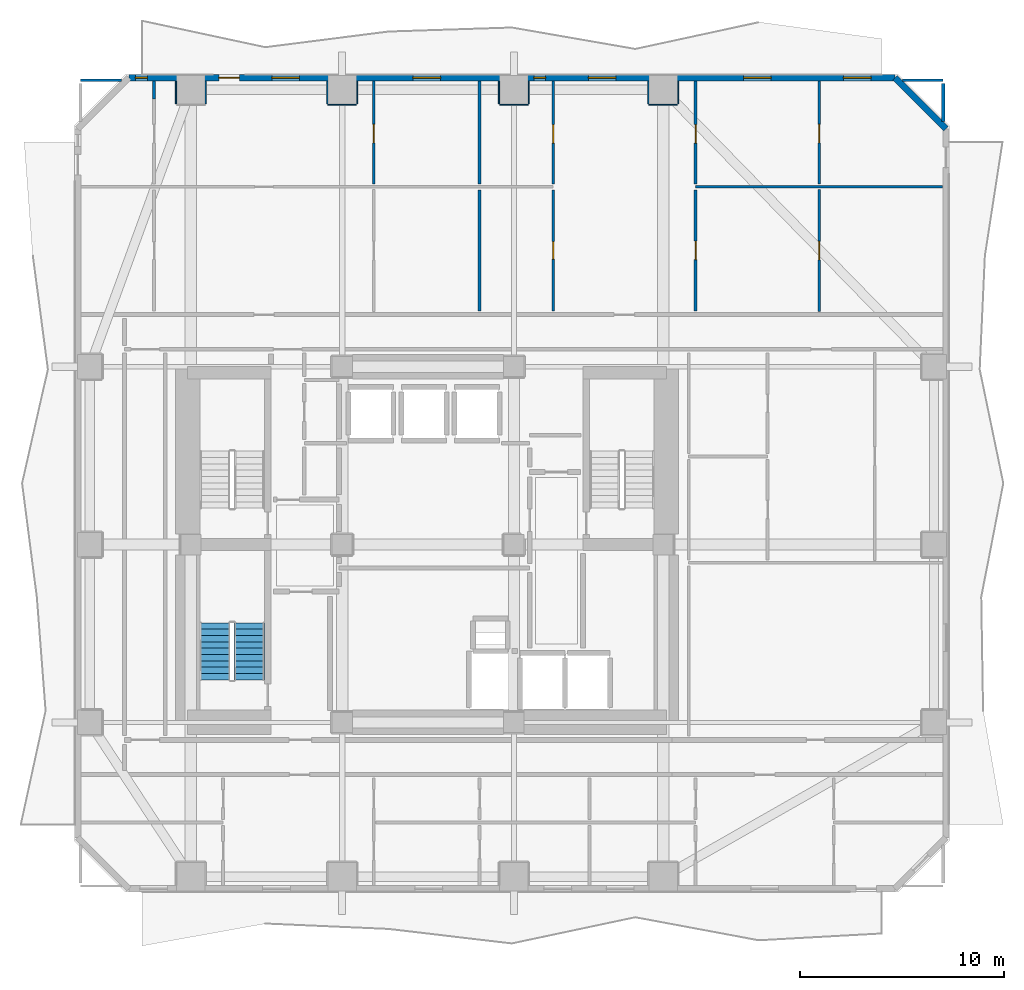
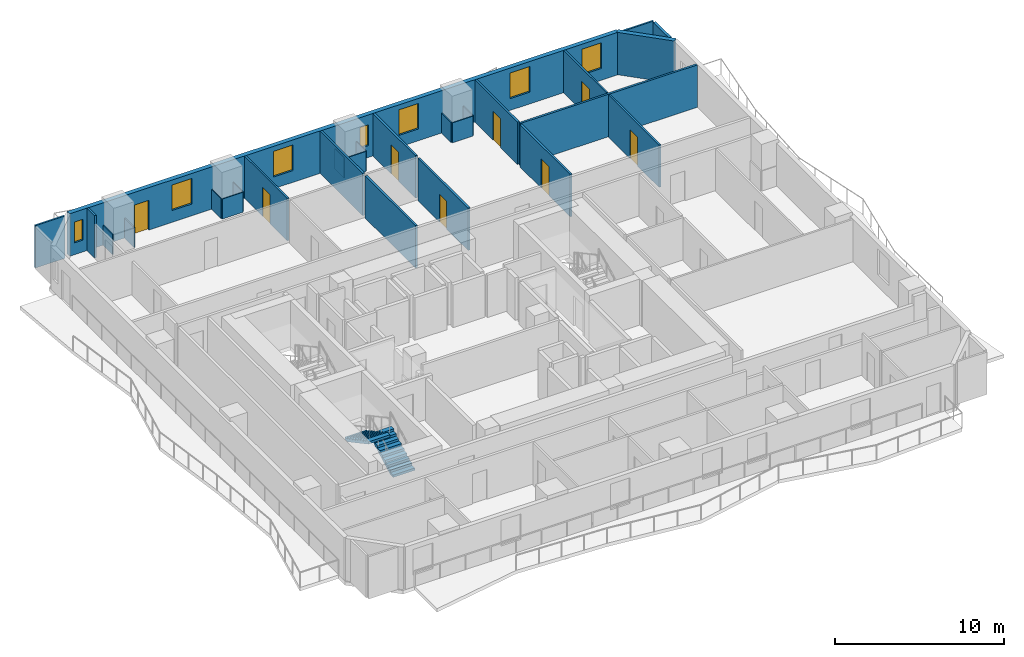
# One storey, part 6 of 11: 27 walls, 8 doors, 7 windows, 2 stair flights, 15 openings, 1 element without a shape of its own.
"""IFC4 building model written with IfcOpenShell, lengths in metres."""

from ifc_helpers import new_model, si_unit, direction, frame, frame_2d, origin, place, context, subcontext, project, spatial, polyline, rectangle, outline, extrude, material, layer, layer_set, type_object, element, fill, aggregate, save


model = new_model("IFC4")

# Units and contexts
model_context = context("Model", 3, precision=1e-05, world=origin(), true_north=direction((0.0, 1.0)))
body_context = subcontext(model_context, "Body", "Model", "MODEL_VIEW")
ifc_project = project(units=[si_unit("LENGTHUNIT", "METRE"), si_unit("AREAUNIT", "SQUARE_METRE"), si_unit("VOLUMEUNIT", "CUBIC_METRE"), si_unit("PLANEANGLEUNIT", "RADIAN"), si_unit("MASSUNIT", "GRAM", prefix="KILO")], contexts=[model_context])

# Site, building, storey
site_placement = place(None, origin())
site = spatial("IfcSite", under=ifc_project, at=site_placement, CompositionType="ELEMENT")
building_placement = place(site_placement, origin())
building = spatial("IfcBuilding", under=site, at=building_placement, Name="Solanera Arch Residences", CompositionType="ELEMENT")
storey_placement = place(building_placement, frame((0.0, 0.0, 71.800048828125)))
storey = spatial("IfcBuildingStorey", under=building, at=storey_placement, Name="L20", CompositionType="ELEMENT", Elevation=71.800048828125)

# Walls
ifc_material_1 = material(Name="Fire-Rated Gypsum Stud Partition", Category="gypsum")
ifc_layer_1 = layer(ifc_material_1, 0.06005859375)
ifc_layer_set_1 = layer_set([ifc_layer_1], Name="Fire-Rated Gypsum Stud Partition")
wall_type_1 = type_object("IfcWallType", Name="Column Acoustic Furring Wall 60", PredefinedType="PARTITIONING", material=ifc_layer_set_1)
for number, where, z_axis, x_axis, name in (
    (1, (12.66796875, 52.25, 0.0), (0.0, 0.0, 1.0), (0.0, 1.0, 0.0), "L20 Column Furring 10W"),
    (2, (14.132080078125, 52.25, 0.0), (0.0, 0.0, 1.0), (0.0, 1.0, 0.0), "L20 Column Furring 10E"),
):
    element("IfcWall", number, at=place(storey_placement, frame(where, z_axis=z_axis, x_axis=x_axis)), inside=storey, type_object=wall_type_1, Name=name, PredefinedType="PARTITIONING", context=body_context, shape_type="SweptSolid", body=[
        extrude(rectangle(XDim=1.1201171875, YDim=0.06005859375, at=frame_2d((0.56005859375, 0.0))), origin(), (0.0, 0.0, 1.0), 1.449951171875),
    ])
wall_1_placement = place(storey_placement, frame((20.10009765625, 52.218017578125, 0.0), z_axis=(0.0, 0.0, 1.0), x_axis=(1.0, 0.0, 0.0)))
element("IfcWall", 3, at=wall_1_placement, inside=storey, type_object=wall_type_1, Name="L20 Column Furring 12S", PredefinedType="PARTITIONING", context=body_context, shape_type="SweptSolid", body=[
    extrude(rectangle(XDim=1.39990234375, YDim=0.06005859375, at=frame_2d((0.699951171875, 0.0))), origin(), (0.0, 0.0, 1.0), 1.449951171875),
])
for number, where, z_axis, x_axis, name in (
    (4, (20.068115234375, 52.25, 0.0), (0.0, 0.0, 1.0), (0.0, 1.0, 0.0), "L20 Column Furring 12W"),
    (5, (21.531982421875, 52.25, 0.0), (0.0, 0.0, 1.0), (0.0, 1.0, 0.0), "L20 Column Furring 12E"),
):
    element("IfcWall", number, at=place(storey_placement, frame(where, z_axis=z_axis, x_axis=x_axis)), inside=storey, type_object=wall_type_1, Name=name, PredefinedType="PARTITIONING", context=body_context, shape_type="SweptSolid", body=[
        extrude(rectangle(XDim=1.1201171875, YDim=0.06005859375, at=frame_2d((0.56005859375, 0.0))), origin(), (0.0, 0.0, 1.0), 1.449951171875),
    ])
wall_2_placement = place(storey_placement, frame((28.5, 52.218017578125, 0.0), z_axis=(0.0, 0.0, 1.0), x_axis=(1.0, 0.0, 0.0)))
element("IfcWall", 6, at=wall_2_placement, inside=storey, type_object=wall_type_1, Name="L20 Column Furring 14S", PredefinedType="PARTITIONING", context=body_context, shape_type="SweptSolid", body=[
    extrude(rectangle(XDim=1.39990234375, YDim=0.06005859375, at=frame_2d((0.699951171875, 0.0))), origin(), (0.0, 0.0, 1.0), 1.449951171875),
])
for number, where, z_axis, x_axis, name in (
    (7, (28.468017578125, 52.25, 0.0), (0.0, 0.0, 1.0), (0.0, 1.0, 0.0), "L20 Column Furring 14W"),
    (8, (29.931884765625, 52.25, 0.0), (0.0, 0.0, 1.0), (0.0, 1.0, 0.0), "L20 Column Furring 14E"),
):
    element("IfcWall", number, at=place(storey_placement, frame(where, z_axis=z_axis, x_axis=x_axis)), inside=storey, type_object=wall_type_1, Name=name, PredefinedType="PARTITIONING", context=body_context, shape_type="SweptSolid", body=[
        extrude(rectangle(XDim=1.1201171875, YDim=0.06005859375, at=frame_2d((0.56005859375, 0.0))), origin(), (0.0, 0.0, 1.0), 1.449951171875),
    ])
wall_3_placement = place(storey_placement, frame((35.800048828125, 52.218017578125, 0.0), z_axis=(0.0, 0.0, 1.0), x_axis=(1.0, 0.0, 0.0)))
element("IfcWall", 9, at=wall_3_placement, inside=storey, type_object=wall_type_1, Name="L20 Column Furring 16S", PredefinedType="PARTITIONING", context=body_context, shape_type="SweptSolid", body=[
    extrude(rectangle(XDim=1.39990234375, YDim=0.06005859375, at=frame_2d((0.699951171875, 0.0))), origin(), (0.0, 0.0, 1.0), 1.449951171875),
])
for number, where, z_axis, x_axis, name in (
    (10, (35.76806640625, 52.25, 0.0), (0.0, 0.0, 1.0), (0.0, 1.0, 0.0), "L20 Column Furring 16W"),
    (11, (37.23193359375, 52.25, 0.0), (0.0, 0.0, 1.0), (0.0, 1.0, 0.0), "L20 Column Furring 16E"),
):
    element("IfcWall", number, at=place(storey_placement, frame(where, z_axis=z_axis, x_axis=x_axis)), inside=storey, type_object=wall_type_1, Name=name, PredefinedType="PARTITIONING", context=body_context, shape_type="SweptSolid", body=[
        extrude(rectangle(XDim=1.1201171875, YDim=0.06005859375, at=frame_2d((0.56005859375, 0.0))), origin(), (0.0, 0.0, 1.0), 1.449951171875),
    ])
ifc_material_2 = material(Name="Autoclaved Aerated Concrete Blockwork", Category="masonry")
ifc_layer_2 = layer(ifc_material_2, 0.179931640625)
ifc_layer_set_2 = layer_set([ifc_layer_2], Name="Autoclaved Aerated Concrete Blockwork")
wall_type_2 = type_object("IfcWallType", Name="Corridor Fire Partition 180", PredefinedType="PARTITIONING", material=ifc_layer_set_2)
wall_4_placement = place(storey_placement, frame((50.199951171875, 51.39892578125, 0.0), z_axis=(0.0, 0.0, 1.0), x_axis=(0.0, 1.0, 0.0)))
element("IfcWall", 12, at=wall_4_placement, inside=storey, type_object=wall_type_2, Name="L20 Interior Partition V9 2", PredefinedType="PARTITIONING", context=body_context, shape_type="SweptSolid", body=[
    extrude(rectangle(XDim=1.843017578125, YDim=0.179931640625, at=frame_2d((0.92138671875, 0.0))), origin(), (0.0, 0.0, 1.0), 3.06005859375),
])

# Wall, openings, door, windows
ifc_material_3 = material(Name="Precast Concrete C35/45", Category="concrete")
ifc_layer_3 = layer(ifc_material_3, 0.300048828125)
ifc_layer_set_3 = layer_set([ifc_layer_3], Name="Precast Concrete C35/45")
wall_type_3 = type_object("IfcWallType", Name="Exterior Wall Precast Masonry-Frame 300", PredefinedType="STANDARD", material=ifc_layer_set_3)
wall_5_placement = place(storey_placement, frame((10.364990234375, 53.534912109375, 0.0), z_axis=(0.0, 0.0, 1.0), x_axis=(1.0, 0.0, 0.0)))
wall_5 = element("IfcWall", 13, at=wall_5_placement, inside=storey, type_object=wall_type_3, Name="L20 Tower Exterior Precast Masonry-Frame Wall N", PredefinedType="STANDARD", context=body_context, shape_type="SweptSolid", body=[
    extrude(rectangle(XDim=37.469970703125, YDim=0.300048828125, at=frame_2d((18.73486328125, 0.0))), origin(), (0.0, 0.0, 1.0), 3.06005859375),
])
opening_1_placement = place(wall_5_placement, frame((4.403076171875, 0.0, 0.0)))
opening_1 = element("IfcOpeningElement", 14, at=opening_1_placement, cuts=wall_5, Name="Opening DB-01", PredefinedType="OPENING", context=body_context, shape_type="SweptSolid", body=[
    extrude(rectangle(XDim=1.0, YDim=2.14990234375, at=frame_2d((0.5, 1.074951171875))), frame((0.0, 0.159912109375, 0.0), z_axis=(0.0, -1.0, 0.0), x_axis=(1.0, 0.0, 0.0)), (0.0, 0.0, 1.0), 0.32),
])
opening_2_placement = place(wall_5_placement, frame((6.993896484375, 0.0, 0.85009765625)))
opening_2 = element("IfcOpeningElement", 15, at=opening_2_placement, cuts=wall_5, Name="Opening W-10", PredefinedType="OPENING", context=body_context, shape_type="SweptSolid", body=[
    extrude(rectangle(XDim=1.35009765625, YDim=1.85009765625, at=frame_2d((0.675048828125, 0.925048828125))), frame((0.0, 0.159912109375, 0.0), z_axis=(0.0, -1.0, 0.0), x_axis=(1.0, 0.0, 0.0)), (0.0, 0.0, 1.0), 0.32),
])
opening_3_placement = place(wall_5_placement, frame((0.323974609375, 0.0, 0.85009765625)))
opening_3 = element("IfcOpeningElement", 16, at=opening_3_placement, cuts=wall_5, Name="Opening W-14", PredefinedType="OPENING", context=body_context, shape_type="SweptSolid", body=[
    extrude(rectangle(XDim=0.580078125, YDim=1.5, at=frame_2d((0.2900390625, 0.75))), frame((0.0, 0.159912109375, 0.0), z_axis=(0.0, -1.0, 0.0), x_axis=(1.0, 0.0, 0.0)), (0.0, 0.0, 1.0), 0.32),
])
opening_4_placement = place(wall_5_placement, frame((13.89599609375, 0.0, 0.85009765625)))
opening_4 = element("IfcOpeningElement", 17, at=opening_4_placement, cuts=wall_5, Name="Opening W-10", PredefinedType="OPENING", context=body_context, shape_type="SweptSolid", body=[
    extrude(rectangle(XDim=1.35009765625, YDim=1.85009765625, at=frame_2d((0.675048828125, 0.925048828125))), frame((0.0, 0.159912109375, 0.0), z_axis=(0.0, -1.0, 0.0), x_axis=(1.0, 0.0, 0.0)), (0.0, 0.0, 1.0), 0.32),
])
opening_5_placement = place(wall_5_placement, frame((22.471923828125, 0.0, 0.85009765625)))
opening_5 = element("IfcOpeningElement", 18, at=opening_5_placement, cuts=wall_5, Name="Opening W-10", PredefinedType="OPENING", context=body_context, shape_type="SweptSolid", body=[
    extrude(rectangle(XDim=1.35009765625, YDim=1.85009765625, at=frame_2d((0.675048828125, 0.925048828125))), frame((0.0, 0.159912109375, 0.0), z_axis=(0.0, -1.0, 0.0), x_axis=(1.0, 0.0, 0.0)), (0.0, 0.0, 1.0), 0.32),
])
opening_6_placement = place(wall_5_placement, frame((19.806884765625, 0.0, 0.85009765625)))
opening_6 = element("IfcOpeningElement", 19, at=opening_6_placement, cuts=wall_5, Name="Opening W-14", PredefinedType="OPENING", context=body_context, shape_type="SweptSolid", body=[
    extrude(rectangle(XDim=0.580078125, YDim=1.5, at=frame_2d((0.2900390625, 0.75))), frame((0.0, 0.159912109375, 0.0), z_axis=(0.0, -1.0, 0.0), x_axis=(1.0, 0.0, 0.0)), (0.0, 0.0, 1.0), 0.32),
])
opening_7_placement = place(wall_5_placement, frame((30.070068359375, 0.0, 0.85009765625)))
opening_7 = element("IfcOpeningElement", 20, at=opening_7_placement, cuts=wall_5, Name="Opening W-10", PredefinedType="OPENING", context=body_context, shape_type="SweptSolid", body=[
    extrude(rectangle(XDim=1.35009765625, YDim=1.85009765625, at=frame_2d((0.675048828125, 0.925048828125))), frame((0.0, 0.159912109375, 0.0), z_axis=(0.0, -1.0, 0.0), x_axis=(1.0, 0.0, 0.0)), (0.0, 0.0, 1.0), 0.32),
])
opening_8_placement = place(wall_5_placement, frame((34.952880859375, 0.0, 0.85009765625)))
opening_8 = element("IfcOpeningElement", 21, at=opening_8_placement, cuts=wall_5, Name="Opening W-10", PredefinedType="OPENING", context=body_context, shape_type="SweptSolid", body=[
    extrude(rectangle(XDim=1.35009765625, YDim=1.85009765625, at=frame_2d((0.675048828125, 0.925048828125))), frame((0.0, 0.159912109375, 0.0), z_axis=(0.0, -1.0, 0.0), x_axis=(1.0, 0.0, 0.0)), (0.0, 0.0, 1.0), 0.32),
])
ifc_material_4 = material(Name="Anodised Aluminium Alloy 6063-T6", Category="aluminium")
door_type_1 = type_object("IfcDoorType", Name="Glazed Balcony Swing Door DB-01", OperationType="NOTDEFINED", PredefinedType="DOOR", material=ifc_material_4)
door_1_placement = place(opening_1_placement, origin())
door_1 = element("IfcDoor", 22, at=door_1_placement, inside=storey, type_object=door_type_1, Name="DR-L20-OUT-02", OperationType="SINGLE_SWING_LEFT", OverallHeight=2.14990234375, OverallWidth=1.0, PredefinedType="DOOR", context=body_context, shape_type="SweptSolid", body=[
    extrude(rectangle(XDim=1.0, YDim=2.14990234375, at=frame_2d((0.5, 1.074951171875))), frame((0.0, 0.02490234375, 0.0), z_axis=(0.0, -1.0, 0.0), x_axis=(1.0, 0.0, 0.0)), (0.0, 0.0, 1.0), 0.050048828125),
])
fill(opening_1, door_1)
ifc_material_5 = material(Name="Double Glazed Low-E Laminated Glass", Category="glass")
window_type_1 = type_object("IfcWindowType", Name="Punched Window W-10", PartitioningType="DOUBLE_PANEL_VERTICAL", PredefinedType="WINDOW", material=ifc_material_5)
window_1_placement = place(opening_2_placement, origin())
window_1 = element("IfcWindow", 23, at=window_1_placement, inside=storey, type_object=window_type_1, Name="L20 2003-LIV Punched Window", OverallHeight=1.85009765625, OverallWidth=1.35009765625, PartitioningType="SINGLE_PANEL", PredefinedType="WINDOW", context=body_context, shape_type="SweptSolid", body=[
    extrude(rectangle(XDim=1.35009765625, YDim=1.85009765625, at=frame_2d((0.675048828125, 0.925048828125))), frame((0.0, 0.030029296875, 0.0), z_axis=(0.0, -1.0, 0.0), x_axis=(1.0, 0.0, 0.0)), (0.0, 0.0, 1.0), 0.06005859375),
])
fill(opening_2, window_1)
window_2_placement = place(opening_4_placement, origin())
window_2 = element("IfcWindow", 24, at=window_2_placement, inside=storey, type_object=window_type_1, Name="L20 2003-BR2 Punched Window", OverallHeight=1.85009765625, OverallWidth=1.35009765625, PartitioningType="SINGLE_PANEL", PredefinedType="WINDOW", context=body_context, shape_type="SweptSolid", body=[
    extrude(rectangle(XDim=1.35009765625, YDim=1.85009765625, at=frame_2d((0.675048828125, 0.925048828125))), frame((0.0, 0.030029296875, 0.0), z_axis=(0.0, -1.0, 0.0), x_axis=(1.0, 0.0, 0.0)), (0.0, 0.0, 1.0), 0.06005859375),
])
fill(opening_4, window_2)
window_3_placement = place(opening_5_placement, origin())
window_3 = element("IfcWindow", 25, at=window_3_placement, inside=storey, type_object=window_type_1, Name="L20 2004-LIV Punched Window", OverallHeight=1.85009765625, OverallWidth=1.35009765625, PartitioningType="SINGLE_PANEL", PredefinedType="WINDOW", context=body_context, shape_type="SweptSolid", body=[
    extrude(rectangle(XDim=1.35009765625, YDim=1.85009765625, at=frame_2d((0.675048828125, 0.925048828125))), frame((0.0, 0.030029296875, 0.0), z_axis=(0.0, -1.0, 0.0), x_axis=(1.0, 0.0, 0.0)), (0.0, 0.0, 1.0), 0.06005859375),
])
fill(opening_5, window_3)
window_4_placement = place(opening_7_placement, origin())
window_4 = element("IfcWindow", 26, at=window_4_placement, inside=storey, type_object=window_type_1, Name="L20 2004-BR2 Punched Window", OverallHeight=1.85009765625, OverallWidth=1.35009765625, PartitioningType="SINGLE_PANEL", PredefinedType="WINDOW", context=body_context, shape_type="SweptSolid", body=[
    extrude(rectangle(XDim=1.35009765625, YDim=1.85009765625, at=frame_2d((0.675048828125, 0.925048828125))), frame((0.0, 0.030029296875, 0.0), z_axis=(0.0, -1.0, 0.0), x_axis=(1.0, 0.0, 0.0)), (0.0, 0.0, 1.0), 0.06005859375),
])
fill(opening_7, window_4)
window_5_placement = place(opening_8_placement, origin())
window_5 = element("IfcWindow", 27, at=window_5_placement, inside=storey, type_object=window_type_1, Name="L20 2004-BR3 Punched Window", OverallHeight=1.85009765625, OverallWidth=1.35009765625, PartitioningType="SINGLE_PANEL", PredefinedType="WINDOW", context=body_context, shape_type="SweptSolid", body=[
    extrude(rectangle(XDim=1.35009765625, YDim=1.85009765625, at=frame_2d((0.675048828125, 0.925048828125))), frame((0.0, 0.030029296875, 0.0), z_axis=(0.0, -1.0, 0.0), x_axis=(1.0, 0.0, 0.0)), (0.0, 0.0, 1.0), 0.06005859375),
])
fill(opening_8, window_5)
ifc_material_6 = material(Name="Double Glazed Low-E Laminated Glass", Category="glass")
window_type_2 = type_object("IfcWindowType", Name="Punched Window W-14", PartitioningType="SINGLE_PANEL", PredefinedType="WINDOW", material=ifc_material_6)
window_6_placement = place(opening_3_placement, origin())
window_6 = element("IfcWindow", 28, at=window_6_placement, inside=storey, type_object=window_type_2, Name="L20 2003-BR1 Punched Window", OverallHeight=1.5, OverallWidth=0.580078125, PartitioningType="SINGLE_PANEL", PredefinedType="WINDOW", context=body_context, shape_type="SweptSolid", body=[
    extrude(rectangle(XDim=0.580078125, YDim=1.5, at=frame_2d((0.2900390625, 0.75))), frame((0.0, 0.030029296875, 0.0), z_axis=(0.0, -1.0, 0.0), x_axis=(1.0, 0.0, 0.0)), (0.0, 0.0, 1.0), 0.06005859375),
])
fill(opening_3, window_6)
window_7_placement = place(opening_6_placement, origin())
window_7 = element("IfcWindow", 29, at=window_7_placement, inside=storey, type_object=window_type_2, Name="L20 2004-BR1 Punched Window", OverallHeight=1.5, OverallWidth=0.580078125, PartitioningType="SINGLE_PANEL", PredefinedType="WINDOW", context=body_context, shape_type="SweptSolid", body=[
    extrude(rectangle(XDim=0.580078125, YDim=1.5, at=frame_2d((0.2900390625, 0.75))), frame((0.0, 0.030029296875, 0.0), z_axis=(0.0, -1.0, 0.0), x_axis=(1.0, 0.0, 0.0)), (0.0, 0.0, 1.0), 0.06005859375),
])
fill(opening_6, window_7)

# Walls
wall_6_placement = place(storey_placement, frame((47.8349609375, 53.534912109375, 0.0), z_axis=(0.0, 0.0, 1.0), x_axis=(0.707106781187, -0.707106781187, 0.0)))
element("IfcWall", 30, at=wall_6_placement, inside=storey, type_object=wall_type_3, Name="L20 Tower Exterior Precast Masonry-Frame Wall CH3", PredefinedType="STANDARD", context=body_context, shape_type="SweptSolid", body=[
    extrude(rectangle(XDim=3.53564453125, YDim=0.300048828125, at=frame_2d((1.767822265625, 0.0))), origin(), (0.0, 0.0, 1.0), 3.06005859375),
])
ifc_material_7 = material(Name="Fire-Rated Gypsum Stud Partition", Category="gypsum")
ifc_layer_4 = layer(ifc_material_7, 0.1201171875)
ifc_layer_set_4 = layer_set([ifc_layer_4], Name="Fire-Rated Gypsum Stud Partition")
wall_type_4 = type_object("IfcWallType", Name="Unit Drywall Partition 120", PredefinedType="PARTITIONING", material=ifc_layer_set_4)
for number, where, z_axis, x_axis, name in (
    (31, (8.0, 53.39990234375, 0.0), (0.0, 0.0, 1.0), (1.0, 0.0, 0.0), "L20 Interior Partition H21 1"),
    (32, (48.198974609375, 53.39990234375, 0.0), (0.0, 0.0, 1.0), (1.0, 0.0, 0.0), "L20 Interior Partition H21 2"),
):
    element("IfcWall", number, at=place(storey_placement, frame(where, z_axis=z_axis, x_axis=x_axis)), inside=storey, type_object=wall_type_4, Name=name, PredefinedType="PARTITIONING", context=body_context, shape_type="SweptSolid", body=[
        extrude(rectangle(XDim=2.0009765625, YDim=0.1201171875, at=frame_2d((1.00048828125, 0.0))), origin(), (0.0, 0.0, 1.0), 3.06005859375),
    ])

# Wall, opening, door
wall_7_placement = place(storey_placement, frame((22.35205078125, 48.337890625, 0.0), z_axis=(0.0, 0.0, 1.0), x_axis=(0.0, 1.0, 0.0)))
wall_7 = element("IfcWall", 33, at=wall_7_placement, inside=storey, type_object=wall_type_4, Name="L20 Interior Partition V23 2", PredefinedType="PARTITIONING", context=body_context, shape_type="SweptSolid", body=[
    extrude(rectangle(XDim=5.03515625, YDim=0.1201171875, at=frame_2d((2.517578125, 0.0))), origin(), (0.0, 0.0, 1.0), 3.06005859375),
])
opening_9_placement = place(wall_7_placement, frame((2.011962890625, 0.0, 0.0)))
opening_9 = element("IfcOpeningElement", 34, at=opening_9_placement, cuts=wall_7, Name="Opening DI-03", PredefinedType="OPENING", context=body_context, shape_type="SweptSolid", body=[
    extrude(rectangle(XDim=0.89990234375, YDim=2.10009765625, at=frame_2d((0.449951171875, 1.050048828125))), frame((0.0, 0.070068359375, 0.0), z_axis=(0.0, -1.0, 0.0), x_axis=(1.0, 0.0, 0.0)), (0.0, 0.0, 1.0), 0.1401),
])
ifc_material_8 = material(Name="Fire-Rated Architectural Hardwood", Category="wood")
door_type_2 = type_object("IfcDoorType", Name="Bedroom Swing Door DI-03", OperationType="NOTDEFINED", PredefinedType="DOOR", material=ifc_material_8)
door_2_placement = place(opening_9_placement, origin())
door_2 = element("IfcDoor", 35, at=door_2_placement, inside=storey, type_object=door_type_2, Name="DR-L20-IN-030", OperationType="SINGLE_SWING_RIGHT", OverallHeight=2.10009765625, OverallWidth=0.89990234375, PredefinedType="DOOR", context=body_context, shape_type="SweptSolid", body=[
    extrude(rectangle(XDim=0.89990234375, YDim=2.10009765625, at=frame_2d((0.449951171875, 1.050048828125))), frame((0.0, 0.02490234375, 0.0), z_axis=(0.0, -1.0, 0.0), x_axis=(1.0, 0.0, 0.0)), (0.0, 0.0, 1.0), 0.050048828125),
])
fill(opening_9, door_2)

wall_8_placement = place(storey_placement, frame((44.139892578125, 42.10791015625, 0.0), z_axis=(0.0, 0.0, 1.0), x_axis=(0.0, 1.0, 0.0)))
wall_8 = element("IfcWall", 36, at=wall_8_placement, inside=storey, type_object=wall_type_4, Name="L20 Interior Partition V24 1", PredefinedType="PARTITIONING", context=body_context, shape_type="SweptSolid", body=[
    extrude(rectangle(XDim=5.9541015625, YDim=0.1201171875, at=frame_2d((2.97705078125, 0.0))), origin(), (0.0, 0.0, 1.0), 3.06005859375),
])
opening_10_placement = place(wall_8_placement, frame((2.51708984375, 0.0, 0.0)))
opening_10 = element("IfcOpeningElement", 37, at=opening_10_placement, cuts=wall_8, Name="Opening DI-02", PredefinedType="OPENING", context=body_context, shape_type="SweptSolid", body=[
    extrude(rectangle(XDim=0.89990234375, YDim=2.10009765625, at=frame_2d((0.449951171875, 1.050048828125))), frame((0.0, 0.070068359375, 0.0), z_axis=(0.0, -1.0, 0.0), x_axis=(1.0, 0.0, 0.0)), (0.0, 0.0, 1.0), 0.1401),
])
ifc_material_9 = material(Name="Fire-Rated Architectural Hardwood", Category="wood")
door_type_3 = type_object("IfcDoorType", Name="Suite Room Swing Door DI-02", OperationType="NOTDEFINED", PredefinedType="DOOR", material=ifc_material_9)
door_3_placement = place(opening_10_placement, origin())
door_3 = element("IfcDoor", 38, at=door_3_placement, inside=storey, type_object=door_type_3, Name="DR-L20-IN-035", OperationType="SINGLE_SWING_LEFT", OverallHeight=2.10009765625, OverallWidth=0.89990234375, PredefinedType="DOOR", context=body_context, shape_type="SweptSolid", body=[
    extrude(rectangle(XDim=0.89990234375, YDim=2.10009765625, at=frame_2d((0.449951171875, 1.050048828125))), frame((0.0, 0.02490234375, 0.0), z_axis=(0.0, -1.0, 0.0), x_axis=(1.0, 0.0, 0.0)), (0.0, 0.0, 1.0), 0.050048828125),
])
fill(opening_10, door_3)

wall_9_placement = place(storey_placement, frame((44.139892578125, 48.337890625, 0.0), z_axis=(0.0, 0.0, 1.0), x_axis=(0.0, 1.0, 0.0)))
wall_9 = element("IfcWall", 39, at=wall_9_placement, inside=storey, type_object=wall_type_4, Name="L20 Interior Partition V24 2", PredefinedType="PARTITIONING", context=body_context, shape_type="SweptSolid", body=[
    extrude(rectangle(XDim=5.03515625, YDim=0.1201171875, at=frame_2d((2.517578125, 0.0))), origin(), (0.0, 0.0, 1.0), 3.06005859375),
])
opening_11_placement = place(wall_9_placement, frame((2.011962890625, 0.0, 0.0)))
opening_11 = element("IfcOpeningElement", 40, at=opening_11_placement, cuts=wall_9, Name="Opening DI-03", PredefinedType="OPENING", context=body_context, shape_type="SweptSolid", body=[
    extrude(rectangle(XDim=0.89990234375, YDim=2.10009765625, at=frame_2d((0.449951171875, 1.050048828125))), frame((0.0, 0.070068359375, 0.0), z_axis=(0.0, -1.0, 0.0), x_axis=(1.0, 0.0, 0.0)), (0.0, 0.0, 1.0), 0.1401),
])
door_4_placement = place(opening_11_placement, origin())
door_4 = element("IfcDoor", 41, at=door_4_placement, inside=storey, type_object=door_type_2, Name="DR-L20-IN-037", OperationType="SINGLE_SWING_LEFT", OverallHeight=2.10009765625, OverallWidth=0.89990234375, PredefinedType="DOOR", context=body_context, shape_type="SweptSolid", body=[
    extrude(rectangle(XDim=0.89990234375, YDim=2.10009765625, at=frame_2d((0.449951171875, 1.050048828125))), frame((0.0, 0.02490234375, 0.0), z_axis=(0.0, -1.0, 0.0), x_axis=(1.0, 0.0, 0.0)), (0.0, 0.0, 1.0), 0.050048828125),
])
fill(opening_11, door_4)

# Walls
ifc_material_10 = material(Name="Autoclaved Aerated Concrete Blockwork", Category="masonry")
ifc_layer_5 = layer(ifc_material_10, 0.139892578125)
ifc_layer_set_5 = layer_set([ifc_layer_5], Name="Autoclaved Aerated Concrete Blockwork")
wall_type_5 = type_object("IfcWallType", Name="Wet-Room Partition 140", PredefinedType="PARTITIONING", material=ifc_layer_set_5)
wall_10_placement = place(storey_placement, frame((38.080078125, 48.199951171875, 0.0), z_axis=(0.0, 0.0, 1.0), x_axis=(1.0, 0.0, 0.0)))
element("IfcWall", 42, at=wall_10_placement, inside=storey, type_object=wall_type_5, Name="L20 Interior Partition H18", PredefinedType="PARTITIONING", context=body_context, shape_type="SweptSolid", body=[
    extrude(rectangle(XDim=12.093017578125, YDim=0.139892578125, at=frame_2d((6.04638671875, 0.0))), origin(), (0.0, 0.0, 1.0), 3.06005859375),
])
wall_11_placement = place(storey_placement, frame((11.60400390625, 52.48291015625, 0.0), z_axis=(0.0, 0.0, 1.0), x_axis=(0.0, 1.0, 0.0)))
element("IfcWall", 43, at=wall_11_placement, inside=storey, type_object=wall_type_5, Name="L20 Interior Partition V12 3", PredefinedType="PARTITIONING", context=body_context, shape_type="SweptSolid", body=[
    extrude(rectangle(XDim=0.89013671875, YDim=0.139892578125, at=frame_2d((0.445068359375, 0.0))), origin(), (0.0, 0.0, 1.0), 3.06005859375),
])
wall_12_placement = place(storey_placement, frame((27.52001953125, 42.117919921875, 0.0), z_axis=(0.0, 0.0, 1.0), x_axis=(0.0, 1.0, 0.0)))
element("IfcWall", 44, at=wall_12_placement, inside=storey, type_object=wall_type_5, Name="L20 Interior Partition V15 1", PredefinedType="PARTITIONING", context=body_context, shape_type="SweptSolid", body=[
    extrude(rectangle(XDim=5.93408203125, YDim=0.139892578125, at=frame_2d((2.967041015625, 0.0))), origin(), (0.0, 0.0, 1.0), 3.06005859375),
])
wall_13_placement = place(storey_placement, frame((27.52001953125, 48.347900390625, 0.0), z_axis=(0.0, 0.0, 1.0), x_axis=(0.0, 1.0, 0.0)))
element("IfcWall", 45, at=wall_13_placement, inside=storey, type_object=wall_type_5, Name="L20 Interior Partition V15 2", PredefinedType="PARTITIONING", context=body_context, shape_type="SweptSolid", body=[
    extrude(rectangle(XDim=5.025146484375, YDim=0.139892578125, at=frame_2d((2.5126953125, 0.0))), origin(), (0.0, 0.0, 1.0), 3.06005859375),
])

# Wall, opening, door
wall_14_placement = place(storey_placement, frame((31.1240234375, 42.117919921875, 0.0), z_axis=(0.0, 0.0, 1.0), x_axis=(0.0, 1.0, 0.0)))
wall_14 = element("IfcWall", 46, at=wall_14_placement, inside=storey, type_object=wall_type_5, Name="L20 Interior Partition V16 1", PredefinedType="PARTITIONING", context=body_context, shape_type="SweptSolid", body=[
    extrude(rectangle(XDim=5.93408203125, YDim=0.139892578125, at=frame_2d((2.967041015625, 0.0))), origin(), (0.0, 0.0, 1.0), 3.06005859375),
])
opening_12_placement = place(wall_14_placement, frame((2.5400390625, 0.0, 0.0)))
opening_12 = element("IfcOpeningElement", 47, at=opening_12_placement, cuts=wall_14, Name="Opening DI-05", PredefinedType="OPENING", context=body_context, shape_type="SweptSolid", body=[
    extrude(rectangle(XDim=0.860107421875, YDim=2.02001953125, at=frame_2d((0.43017578125, 1.010009765625))), frame((0.0, 0.079833984375, 0.0), z_axis=(0.0, -1.0, 0.0), x_axis=(1.0, 0.0, 0.0)), (0.0, 0.0, 1.0), 0.1599),
])
ifc_material_11 = material(Name="Fire-Rated Architectural Hardwood", Category="wood")
door_type_4 = type_object("IfcDoorType", Name="Bathroom Swing Door DI-05", OperationType="NOTDEFINED", PredefinedType="DOOR", material=ifc_material_11)
door_5_placement = place(opening_12_placement, origin())
door_5 = element("IfcDoor", 48, at=door_5_placement, inside=storey, type_object=door_type_4, Name="DR-L20-IN-032", OperationType="SINGLE_SWING_RIGHT", OverallHeight=2.02001953125, OverallWidth=0.860107421875, PredefinedType="DOOR", context=body_context, shape_type="SweptSolid", body=[
    extrude(rectangle(XDim=0.860107421875, YDim=2.02001953125, at=frame_2d((0.43017578125, 1.010009765625))), frame((0.0, 0.02490234375, 0.0), z_axis=(0.0, -1.0, 0.0), x_axis=(1.0, 0.0, 0.0)), (0.0, 0.0, 1.0), 0.050048828125),
])
fill(opening_12, door_5)

wall_15_placement = place(storey_placement, frame((31.1240234375, 48.347900390625, 0.0), z_axis=(0.0, 0.0, 1.0), x_axis=(0.0, 1.0, 0.0)))
wall_15 = element("IfcWall", 49, at=wall_15_placement, inside=storey, type_object=wall_type_5, Name="L20 Interior Partition V16 2", PredefinedType="PARTITIONING", context=body_context, shape_type="SweptSolid", body=[
    extrude(rectangle(XDim=5.025146484375, YDim=0.139892578125, at=frame_2d((2.5126953125, 0.0))), origin(), (0.0, 0.0, 1.0), 3.06005859375),
])
opening_13_placement = place(wall_15_placement, frame((1.989013671875, 0.0, 0.0)))
opening_13 = element("IfcOpeningElement", 50, at=opening_13_placement, cuts=wall_15, Name="Opening DI-03", PredefinedType="OPENING", context=body_context, shape_type="SweptSolid", body=[
    extrude(rectangle(XDim=0.89990234375, YDim=2.10009765625, at=frame_2d((0.449951171875, 1.050048828125))), frame((0.0, 0.079833984375, 0.0), z_axis=(0.0, -1.0, 0.0), x_axis=(1.0, 0.0, 0.0)), (0.0, 0.0, 1.0), 0.1599),
])
door_6_placement = place(opening_13_placement, origin())
door_6 = element("IfcDoor", 51, at=door_6_placement, inside=storey, type_object=door_type_2, Name="DR-L20-IN-033", OperationType="SINGLE_SWING_LEFT", OverallHeight=2.10009765625, OverallWidth=0.89990234375, PredefinedType="DOOR", context=body_context, shape_type="SweptSolid", body=[
    extrude(rectangle(XDim=0.89990234375, YDim=2.10009765625, at=frame_2d((0.449951171875, 1.050048828125))), frame((0.0, 0.02490234375, 0.0), z_axis=(0.0, -1.0, 0.0), x_axis=(1.0, 0.0, 0.0)), (0.0, 0.0, 1.0), 0.050048828125),
])
fill(opening_13, door_6)

wall_16_placement = place(storey_placement, frame((38.083984375, 42.117919921875, 0.0), z_axis=(0.0, 0.0, 1.0), x_axis=(0.0, 1.0, 0.0)))
wall_16 = element("IfcWall", 52, at=wall_16_placement, inside=storey, type_object=wall_type_5, Name="L20 Interior Partition V20 1", PredefinedType="PARTITIONING", context=body_context, shape_type="SweptSolid", body=[
    extrude(rectangle(XDim=5.93408203125, YDim=0.139892578125, at=frame_2d((2.967041015625, 0.0))), origin(), (0.0, 0.0, 1.0), 3.06005859375),
])
opening_14_placement = place(wall_16_placement, frame((2.52001953125, 0.0, 0.0)))
opening_14 = element("IfcOpeningElement", 53, at=opening_14_placement, cuts=wall_16, Name="Opening DI-02", PredefinedType="OPENING", context=body_context, shape_type="SweptSolid", body=[
    extrude(rectangle(XDim=0.89990234375, YDim=2.10009765625, at=frame_2d((0.449951171875, 1.050048828125))), frame((0.0, 0.079833984375, 0.0), z_axis=(0.0, -1.0, 0.0), x_axis=(1.0, 0.0, 0.0)), (0.0, 0.0, 1.0), 0.1599),
])
door_7_placement = place(opening_14_placement, origin())
door_7 = element("IfcDoor", 54, at=door_7_placement, inside=storey, type_object=door_type_3, Name="DR-L20-IN-034", OperationType="SINGLE_SWING_RIGHT", OverallHeight=2.10009765625, OverallWidth=0.89990234375, PredefinedType="DOOR", context=body_context, shape_type="SweptSolid", body=[
    extrude(rectangle(XDim=0.89990234375, YDim=2.10009765625, at=frame_2d((0.449951171875, 1.050048828125))), frame((0.0, 0.02490234375, 0.0), z_axis=(0.0, -1.0, 0.0), x_axis=(1.0, 0.0, 0.0)), (0.0, 0.0, 1.0), 0.050048828125),
])
fill(opening_14, door_7)

wall_17_placement = place(storey_placement, frame((38.083984375, 48.347900390625, 0.0), z_axis=(0.0, 0.0, 1.0), x_axis=(0.0, 1.0, 0.0)))
wall_17 = element("IfcWall", 55, at=wall_17_placement, inside=storey, type_object=wall_type_5, Name="L20 Interior Partition V20 2", PredefinedType="PARTITIONING", context=body_context, shape_type="SweptSolid", body=[
    extrude(rectangle(XDim=5.025146484375, YDim=0.139892578125, at=frame_2d((2.5126953125, 0.0))), origin(), (0.0, 0.0, 1.0), 3.06005859375),
])
opening_15_placement = place(wall_17_placement, frame((1.989013671875, 0.0, 0.0)))
opening_15 = element("IfcOpeningElement", 56, at=opening_15_placement, cuts=wall_17, Name="Opening DI-03", PredefinedType="OPENING", context=body_context, shape_type="SweptSolid", body=[
    extrude(rectangle(XDim=0.89990234375, YDim=2.10009765625, at=frame_2d((0.449951171875, 1.050048828125))), frame((0.0, 0.079833984375, 0.0), z_axis=(0.0, -1.0, 0.0), x_axis=(1.0, 0.0, 0.0)), (0.0, 0.0, 1.0), 0.1599),
])
door_8_placement = place(opening_15_placement, origin())
door_8 = element("IfcDoor", 57, at=door_8_placement, inside=storey, type_object=door_type_2, Name="DR-L20-IN-036", OperationType="SINGLE_SWING_RIGHT", OverallHeight=2.10009765625, OverallWidth=0.89990234375, PredefinedType="DOOR", context=body_context, shape_type="SweptSolid", body=[
    extrude(rectangle(XDim=0.89990234375, YDim=2.10009765625, at=frame_2d((0.449951171875, 1.050048828125))), frame((0.0, 0.02490234375, 0.0), z_axis=(0.0, -1.0, 0.0), x_axis=(1.0, 0.0, 0.0)), (0.0, 0.0, 1.0), 0.050048828125),
])
fill(opening_15, door_8)

# Stair, stair flights
ifc_material_12 = material(Name="Concrete C40/50 (f'c = 45 MPa)", Category="concrete")
stair_type = type_object("IfcStairType", Name="Tower Dogleg Exit Stair 1480", PredefinedType="HALF_TURN_STAIR", material=ifc_material_12)
stair_placement = place(storey_placement, origin())
stair = element("IfcStair", 58, at=stair_placement, inside=storey, type_object=stair_type, Name="L20 Tower Core Exit Stair 3", PredefinedType="HALF_TURN_STAIR")
ifc_material_13 = material(Name="Concrete C40/50 (f'c = 45 MPa)", Category="concrete")
stair_flight_type = type_object("IfcStairFlightType", Name="Tower Precast Stair Flight 1480", PredefinedType="STRAIGHT", material=ifc_material_13)
stair_flight_1_placement = place(storey_placement, frame((16.260009765625, 24.080078125, 0.0), z_axis=(0.0, 0.0, 1.0), x_axis=(0.0, 1.0, 0.0)))
stair_flight_1 = element("IfcStairFlight", 59, at=stair_flight_1_placement, type_object=stair_flight_type, Name="ST-T3 flight 1", NumberOfRisers=10, NumberOfTreads=9, PredefinedType="STRAIGHT", RiserHeight=0.166, TreadLength=0.31, context=body_context, shape_type="SweptSolid", body=[
    extrude(outline(polyline([(0.0, 0.0), (0.0, 0.166015625), (0.31005859375, 0.166015625), (0.31005859375, 0.33203125), (0.6201171875, 0.33203125), (0.6201171875, 0.498046875), (0.929931640625, 0.498046875), (0.929931640625, 0.6640625), (1.239990234375, 0.6640625), (1.239990234375, 0.830078125), (1.550048828125, 0.830078125), (1.550048828125, 0.99609375), (1.860107421875, 0.99609375), (1.860107421875, 1.162109375), (2.169921875, 1.162109375), (2.169921875, 1.327880859375), (2.47998046875, 1.327880859375), (2.47998046875, 1.493896484375), (2.7900390625, 1.493896484375), (2.7900390625, 1.659912109375), (2.7900390625, 1.323974609375), (0.317626953125, 0.0), (0.0, 0.0)])), frame((0.0, 0.739990234375, 0.0), z_axis=(0.0, -1.0, 0.0), x_axis=(1.0, 0.0, 0.0)), (0.0, 0.0, 1.0), 1.47998046875),
])
stair_flight_2_placement = place(storey_placement, frame((14.580078125, 26.8701171875, 1.659912109375), z_axis=(0.0, 0.0, 1.0), x_axis=(0.0, -1.0, 0.0)))
stair_flight_2 = element("IfcStairFlight", 60, at=stair_flight_2_placement, type_object=stair_flight_type, Name="ST-T3 flight 2", NumberOfRisers=10, NumberOfTreads=9, PredefinedType="STRAIGHT", RiserHeight=0.166, TreadLength=0.31, context=body_context, shape_type="SweptSolid", body=[
    extrude(outline(polyline([(0.0, 0.0), (0.0, 0.166015625), (0.31005859375, 0.166015625), (0.31005859375, 0.33203125), (0.6201171875, 0.33203125), (0.6201171875, 0.498046875), (0.929931640625, 0.498046875), (0.929931640625, 0.6640625), (1.239990234375, 0.6640625), (1.239990234375, 0.830078125), (1.550048828125, 0.830078125), (1.550048828125, 0.99609375), (1.860107421875, 0.99609375), (1.860107421875, 1.162109375), (2.169921875, 1.162109375), (2.169921875, 1.327880859375), (2.47998046875, 1.327880859375), (2.47998046875, 1.493896484375), (2.7900390625, 1.493896484375), (2.7900390625, 1.659912109375), (2.7900390625, 1.323974609375), (0.317626953125, 0.0), (0.0, 0.0)])), frame((0.0, 0.739990234375, 0.0), z_axis=(0.0, -1.0, 0.0), x_axis=(1.0, 0.0, 0.0)), (0.0, 0.0, 1.0), 1.47998046875),
])
aggregate(stair, [stair_flight_1, stair_flight_2])

save(model, "model.ifc")
